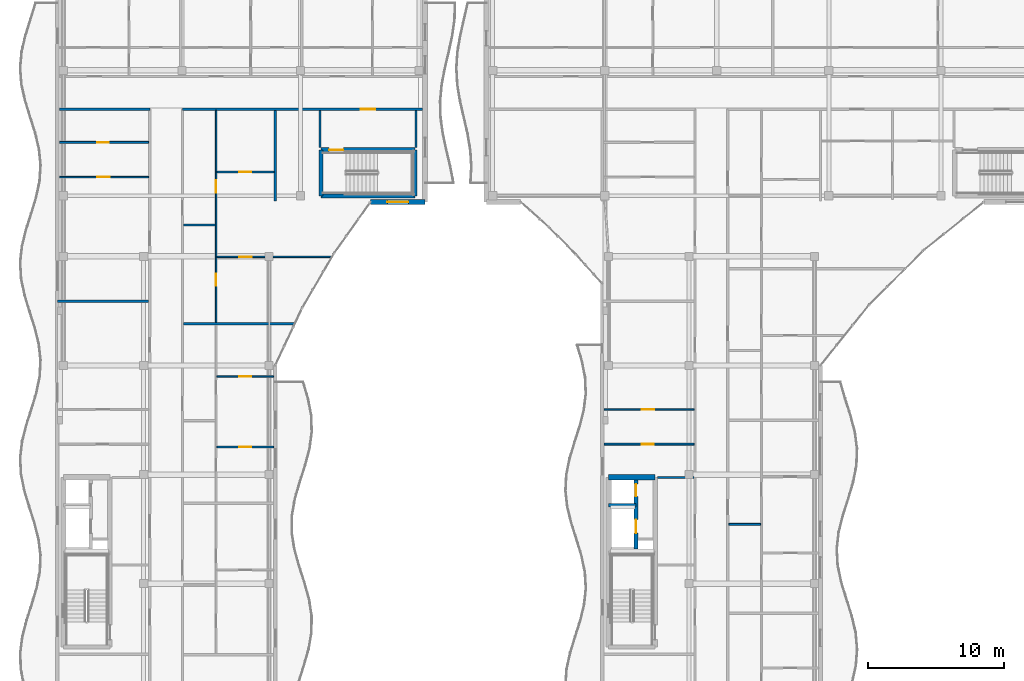
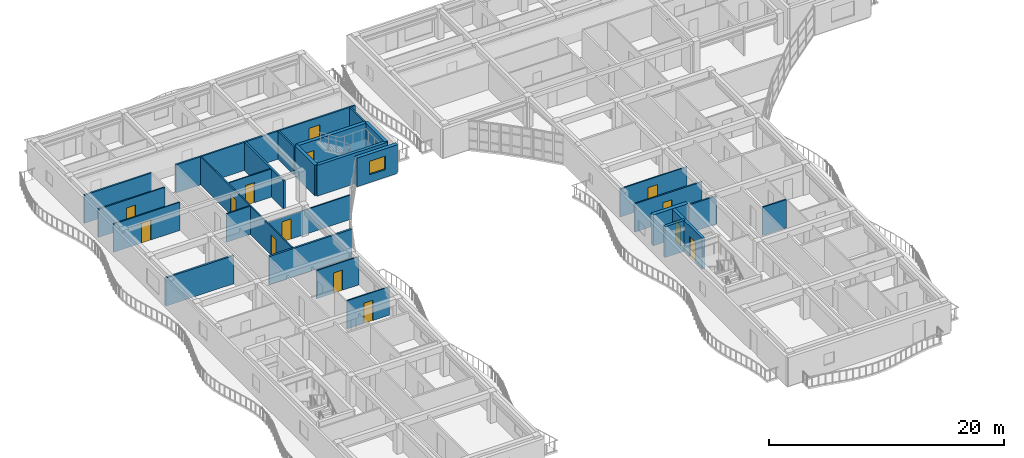
# One storey, part 41 of 79: 27 walls, 14 doors, 1 window, 15 openings.
"""IFC4 building model written with IfcOpenShell, lengths in metres."""

from ifc_helpers import new_model, si_unit, direction, frame, frame_2d, origin, place, context, subcontext, project, spatial, rectangle, extrude, material, layer, layer_set, type_object, element, fill, save


model = new_model("IFC4")

# Units and contexts
model_context = context("Model", 3, precision=1e-05, world=origin(), true_north=direction((0.0, 1.0)))
body_context = subcontext(model_context, "Body", "Model", "MODEL_VIEW")
ifc_project = project(units=[si_unit("LENGTHUNIT", "METRE"), si_unit("AREAUNIT", "SQUARE_METRE"), si_unit("VOLUMEUNIT", "CUBIC_METRE"), si_unit("PLANEANGLEUNIT", "RADIAN"), si_unit("MASSUNIT", "GRAM", prefix="KILO")], contexts=[model_context])

# Site, building, storey
site_placement = place(None, origin())
site = spatial("IfcSite", under=ifc_project, at=site_placement, CompositionType="ELEMENT")
building_placement = place(site_placement, origin())
building = spatial("IfcBuilding", under=site, at=building_placement, Name="Keldmere Railside Commons", CompositionType="ELEMENT")
storey_placement = place(building_placement, frame((0.0, 0.0, 10.56005859375)))
storey = spatial("IfcBuildingStorey", under=building, at=storey_placement, Name="L03", CompositionType="ELEMENT", Elevation=10.56005859375)

# Walls
ifc_material_1 = material(Name="Acoustic Gypsum Board Partition", Category="gypsum")
ifc_layer_1 = layer(ifc_material_1, 0.179931640625, Name="Acoustic Demising Partition 180")
ifc_layer_set_1 = layer_set([ifc_layer_1], Name="Acoustic Gypsum Board Partition")
wall_type_1 = type_object("IfcWallType", Name="Acoustic Demising Partition 180", PredefinedType="PARTITIONING", material=ifc_layer_set_1)
wall_1_placement = place(storey_placement, frame((24.0, 100.050048828125, 0.0), z_axis=(0.0, 0.0, 1.0), x_axis=(0.0, 1.0, 0.0)))
element("IfcWall", 1, at=wall_1_placement, inside=storey, type_object=wall_type_1, Name="IW-1 IW-L03-0291", PredefinedType="PARTITIONING", context=body_context, shape_type="SweptSolid", body=[
    extrude(rectangle(XDim=6.669921875, YDim=0.179931640625, at=frame_2d((3.3349609375, 0.0))), origin(), (0.0, 0.0, 1.0), 2.93505859375),
])
wall_2_placement = place(storey_placement, frame((17.280029296875, 91.050048828125, 0.0), z_axis=(0.0, 0.0, 1.0), x_axis=(1.0, 0.0, 0.0)))
element("IfcWall", 2, at=wall_2_placement, inside=storey, type_object=wall_type_1, Name="IW-1 IW-L03-0296", PredefinedType="PARTITIONING", context=body_context, shape_type="SweptSolid", body=[
    extrude(rectangle(XDim=8.106689453125, YDim=0.179931640625, at=frame_2d((4.05322265625, 0.0))), origin(), (0.0, 0.0, 1.0), 2.93505859375),
])
wall_3_placement = place(storey_placement, frame((8.0400390625, 92.699951171875, 0.0), z_axis=(0.0, 0.0, 1.0), x_axis=(1.0, 0.0, 0.0)))
element("IfcWall", 3, at=wall_3_placement, inside=storey, type_object=wall_type_1, Name="IW-1 IW-L03-0319", PredefinedType="PARTITIONING", context=body_context, shape_type="SweptSolid", body=[
    extrude(rectangle(XDim=6.679931640625, YDim=0.179931640625, at=frame_2d((3.33984375, 0.0))), origin(), (0.0, 0.0, 1.0), 2.93505859375),
])

# Wall, opening, door
ifc_layer_2 = layer(ifc_material_1, 0.1201171875, Name="Apartment Interior Partition 120")
ifc_layer_set_2 = layer_set([ifc_layer_2], Name="Acoustic Gypsum Board Partition")
wall_type_2 = type_object("IfcWallType", Name="Apartment Interior Partition 120", PredefinedType="PARTITIONING", material=ifc_layer_set_2)
wall_4_placement = place(storey_placement, frame((19.719970703125, 82.02001953125, 0.0), z_axis=(0.0, 0.0, 1.0), x_axis=(1.0, 0.0, 0.0)))
wall_4 = element("IfcWall", 4, at=wall_4_placement, inside=storey, type_object=wall_type_2, Name="IW-4 IW-L03-0302", PredefinedType="PARTITIONING", context=body_context, shape_type="SweptSolid", body=[
    extrude(rectangle(XDim=4.159912109375, YDim=0.1201171875, at=frame_2d((2.080078125, 0.0))), origin(), (0.0, 0.0, 1.0), 2.93505859375),
])
opening_1_placement = place(wall_4_placement, frame((1.6298828125, 0.0, 0.0)))
opening_1 = element("IfcOpeningElement", 5, at=opening_1_placement, cuts=wall_4, Name="Opening ID-01", PredefinedType="OPENING", context=body_context, shape_type="SweptSolid", body=[
    extrude(rectangle(XDim=0.89990234375, YDim=2.10009765625, at=frame_2d((0.449951171875, 1.050048828125))), frame((0.0, 0.070068359375, 0.0), z_axis=(0.0, -1.0, 0.0), x_axis=(1.0, 0.0, 0.0)), (0.0, 0.0, 1.0), 0.14013671875),
])
ifc_material_2 = material(Name="Engineered Oak Timber", Category="wood")
door_type_1 = type_object("IfcDoorType", Name="Primary Bedroom Door 900x2100", OperationType="NOTDEFINED", PredefinedType="DOOR", material=ifc_material_2)
door_1_placement = place(opening_1_placement, origin())
door_1 = element("IfcDoor", 6, at=door_1_placement, inside=storey, type_object=door_type_1, Name="ID-01 IDR-L03-0206", OperationType="SINGLE_SWING_RIGHT", OverallHeight=2.10009765625, OverallWidth=0.89990234375, PredefinedType="DOOR", context=body_context, shape_type="SweptSolid", body=[
    extrude(rectangle(XDim=0.89990234375, YDim=2.10009765625, at=frame_2d((0.449951171875, 1.050048828125))), frame((0.0, 0.02490234375, 0.0), z_axis=(0.0, -1.0, 0.0), x_axis=(1.0, 0.0, 0.0)), (0.0, 0.0, 1.0), 0.050048828125),
])
fill(opening_1, door_1)

wall_5_placement = place(storey_placement, frame((19.719970703125, 87.199951171875, 0.0), z_axis=(0.0, 0.0, 1.0), x_axis=(1.0, 0.0, 0.0)))
wall_5 = element("IfcWall", 7, at=wall_5_placement, inside=storey, type_object=wall_type_2, Name="IW-4 IW-L03-0303", PredefinedType="PARTITIONING", context=body_context, shape_type="SweptSolid", body=[
    extrude(rectangle(XDim=4.159912109375, YDim=0.1201171875, at=frame_2d((2.080078125, 0.0))), origin(), (0.0, 0.0, 1.0), 2.93505859375),
])
opening_2_placement = place(wall_5_placement, frame((1.639892578125, 0.0, 0.0)))
opening_2 = element("IfcOpeningElement", 8, at=opening_2_placement, cuts=wall_5, Name="Opening ID-02", PredefinedType="OPENING", context=body_context, shape_type="SweptSolid", body=[
    extrude(rectangle(XDim=0.8798828125, YDim=2.10009765625, at=frame_2d((0.43994140625, 1.050048828125))), frame((0.0, 0.070068359375, 0.0), z_axis=(0.0, -1.0, 0.0), x_axis=(1.0, 0.0, 0.0)), (0.0, 0.0, 1.0), 0.14013671875),
])
door_type_2 = type_object("IfcDoorType", Name="Secondary Bedroom Door 880x2100", OperationType="NOTDEFINED", PredefinedType="DOOR", material=ifc_material_2)
door_2_placement = place(opening_2_placement, origin())
door_2 = element("IfcDoor", 9, at=door_2_placement, inside=storey, type_object=door_type_2, Name="ID-02 IDR-L03-0207", OperationType="SINGLE_SWING_LEFT", OverallHeight=2.10009765625, OverallWidth=0.8798828125, PredefinedType="DOOR", context=body_context, shape_type="SweptSolid", body=[
    extrude(rectangle(XDim=0.8798828125, YDim=2.10009765625, at=frame_2d((0.43994140625, 1.050048828125))), frame((0.0, 0.02490234375, 0.0), z_axis=(0.0, -1.0, 0.0), x_axis=(1.0, 0.0, 0.0)), (0.0, 0.0, 1.0), 0.050048828125),
])
fill(opening_2, door_2)

# Wall, openings, doors
wall_6_placement = place(storey_placement, frame((19.659912109375, 91.139892578125, 0.0), z_axis=(0.0, 0.0, 1.0), x_axis=(0.0, 1.0, 0.0)))
wall_6 = element("IfcWall", 10, at=wall_6_placement, inside=storey, type_object=wall_type_2, Name="IW-4 IW-L03-0304", PredefinedType="PARTITIONING", context=body_context, shape_type="SweptSolid", body=[
    extrude(rectangle(XDim=15.580078125, YDim=0.1201171875, at=frame_2d((7.7900390625, 0.0))), origin(), (0.0, 0.0, 1.0), 2.93505859375),
])
opening_3_placement = place(wall_6_placement, frame((2.724609375, 0.0, 0.0)))
opening_3 = element("IfcOpeningElement", 11, at=opening_3_placement, cuts=wall_6, Name="Opening ID-04", PredefinedType="OPENING", context=body_context, shape_type="SweptSolid", body=[
    extrude(rectangle(XDim=0.860107421875, YDim=2.10009765625, at=frame_2d((0.43017578125, 1.050048828125))), frame((0.0, 0.070068359375, 0.0), z_axis=(0.0, -1.0, 0.0), x_axis=(1.0, 0.0, 0.0)), (0.0, 0.0, 1.0), 0.14013671875),
])
opening_4_placement = place(wall_6_placement, frame((9.52490234375, 0.0, 0.0)))
opening_4 = element("IfcOpeningElement", 12, at=opening_4_placement, cuts=wall_6, Name="Opening ID-03", PredefinedType="OPENING", context=body_context, shape_type="SweptSolid", body=[
    extrude(rectangle(XDim=0.919921875, YDim=2.10009765625, at=frame_2d((0.4599609375, 1.050048828125))), frame((0.0, 0.070068359375, 0.0), z_axis=(0.0, -1.0, 0.0), x_axis=(1.0, 0.0, 0.0)), (0.0, 0.0, 1.0), 0.14013671875),
])
door_type_3 = type_object("IfcDoorType", Name="Apartment Bathroom Door 860x2100", OperationType="NOTDEFINED", PredefinedType="DOOR", material=ifc_material_2)
door_3_placement = place(opening_3_placement, origin())
door_3 = element("IfcDoor", 13, at=door_3_placement, inside=storey, type_object=door_type_3, Name="ID-04 IDR-L03-0208", OperationType="SINGLE_SWING_RIGHT", OverallHeight=2.10009765625, OverallWidth=0.860107421875, PredefinedType="DOOR", context=body_context, shape_type="SweptSolid", body=[
    extrude(rectangle(XDim=0.860107421875, YDim=2.10009765625, at=frame_2d((0.43017578125, 1.050048828125))), frame((0.0, 0.02490234375, 0.0), z_axis=(0.0, -1.0, 0.0), x_axis=(1.0, 0.0, 0.0)), (0.0, 0.0, 1.0), 0.050048828125),
])
fill(opening_3, door_3)
door_type_4 = type_object("IfcDoorType", Name="Kitchen Pocket-Frame Swing Door 920x2100", OperationType="NOTDEFINED", PredefinedType="DOOR", material=ifc_material_2)
door_4_placement = place(opening_4_placement, origin())
door_4 = element("IfcDoor", 14, at=door_4_placement, inside=storey, type_object=door_type_4, Name="ID-03 IDR-L03-0209", OperationType="SINGLE_SWING_LEFT", OverallHeight=2.10009765625, OverallWidth=0.919921875, PredefinedType="DOOR", context=body_context, shape_type="SweptSolid", body=[
    extrude(rectangle(XDim=0.919921875, YDim=2.10009765625, at=frame_2d((0.4599609375, 1.050048828125))), frame((0.0, 0.02490234375, 0.0), z_axis=(0.0, -1.0, 0.0), x_axis=(1.0, 0.0, 0.0)), (0.0, 0.0, 1.0), 0.050048828125),
])
fill(opening_4, door_4)

# Wall, opening, door
wall_7_placement = place(storey_placement, frame((19.719970703125, 95.969970703125, 0.0), z_axis=(0.0, 0.0, 1.0), x_axis=(1.0, 0.0, 0.0)))
wall_7 = element("IfcWall", 15, at=wall_7_placement, inside=storey, type_object=wall_type_2, Name="IW-4 IW-L03-0306", PredefinedType="PARTITIONING", context=body_context, shape_type="SweptSolid", body=[
    extrude(rectangle(XDim=8.4033203125, YDim=0.1201171875, at=frame_2d((4.20166015625, 0.0))), origin(), (0.0, 0.0, 1.0), 2.530029296875),
])
opening_5_placement = place(wall_7_placement, frame((1.64501953125, 0.0, 0.0)))
opening_5 = element("IfcOpeningElement", 16, at=opening_5_placement, cuts=wall_7, Name="Opening ID-01", PredefinedType="OPENING", context=body_context, shape_type="SweptSolid", body=[
    extrude(rectangle(XDim=0.89990234375, YDim=2.10009765625, at=frame_2d((0.449951171875, 1.050048828125))), frame((0.0, 0.070068359375, 0.0), z_axis=(0.0, -1.0, 0.0), x_axis=(1.0, 0.0, 0.0)), (0.0, 0.0, 1.0), 0.14013671875),
])
door_5_placement = place(opening_5_placement, origin())
door_5 = element("IfcDoor", 17, at=door_5_placement, inside=storey, type_object=door_type_1, Name="ID-01 IDR-L03-0211", OperationType="SINGLE_SWING_LEFT", OverallHeight=2.10009765625, OverallWidth=0.89990234375, PredefinedType="DOOR", context=body_context, shape_type="SweptSolid", body=[
    extrude(rectangle(XDim=0.89990234375, YDim=2.10009765625, at=frame_2d((0.449951171875, 1.050048828125))), frame((0.0, 0.02490234375, 0.0), z_axis=(0.0, -1.0, 0.0), x_axis=(1.0, 0.0, 0.0)), (0.0, 0.0, 1.0), 0.050048828125),
])
fill(opening_5, door_5)

wall_8_placement = place(storey_placement, frame((19.719970703125, 102.199951171875, 0.0), z_axis=(0.0, 0.0, 1.0), x_axis=(1.0, 0.0, 0.0)))
wall_8 = element("IfcWall", 18, at=wall_8_placement, inside=storey, type_object=wall_type_2, Name="IW-4 IW-L03-0307", PredefinedType="PARTITIONING", context=body_context, shape_type="SweptSolid", body=[
    extrude(rectangle(XDim=4.18994140625, YDim=0.1201171875, at=frame_2d((2.094970703125, 0.0))), origin(), (0.0, 0.0, 1.0), 2.93505859375),
])
opening_6_placement = place(wall_8_placement, frame((1.655029296875, 0.0, 0.0)))
opening_6 = element("IfcOpeningElement", 19, at=opening_6_placement, cuts=wall_8, Name="Opening ID-02", PredefinedType="OPENING", context=body_context, shape_type="SweptSolid", body=[
    extrude(rectangle(XDim=0.8798828125, YDim=2.10009765625, at=frame_2d((0.43994140625, 1.050048828125))), frame((0.0, 0.070068359375, 0.0), z_axis=(0.0, -1.0, 0.0), x_axis=(1.0, 0.0, 0.0)), (0.0, 0.0, 1.0), 0.14013671875),
])
door_6_placement = place(opening_6_placement, origin())
door_6 = element("IfcDoor", 20, at=door_6_placement, inside=storey, type_object=door_type_2, Name="ID-02 IDR-L03-0212", OperationType="SINGLE_SWING_RIGHT", OverallHeight=2.10009765625, OverallWidth=0.8798828125, PredefinedType="DOOR", context=body_context, shape_type="SweptSolid", body=[
    extrude(rectangle(XDim=0.8798828125, YDim=2.10009765625, at=frame_2d((0.43994140625, 1.050048828125))), frame((0.0, 0.02490234375, 0.0), z_axis=(0.0, -1.0, 0.0), x_axis=(1.0, 0.0, 0.0)), (0.0, 0.0, 1.0), 0.050048828125),
])
fill(opening_6, door_6)

wall_9_placement = place(storey_placement, frame((8.179931640625, 101.820068359375, 0.0), z_axis=(0.0, 0.0, 1.0), x_axis=(1.0, 0.0, 0.0)))
wall_9 = element("IfcWall", 21, at=wall_9_placement, inside=storey, type_object=wall_type_2, Name="IW-4 IW-L03-0322", PredefinedType="PARTITIONING", context=body_context, shape_type="SweptSolid", body=[
    extrude(rectangle(XDim=6.5400390625, YDim=0.1201171875, at=frame_2d((3.27001953125, 0.0))), origin(), (0.0, 0.0, 1.0), 2.93505859375),
])
opening_7_placement = place(wall_9_placement, frame((2.746826171875, 0.0, 0.0)))
opening_7 = element("IfcOpeningElement", 22, at=opening_7_placement, cuts=wall_9, Name="Opening ID-03", PredefinedType="OPENING", context=body_context, shape_type="SweptSolid", body=[
    extrude(rectangle(XDim=0.919921875, YDim=2.10009765625, at=frame_2d((0.4599609375, 1.050048828125))), frame((0.0, 0.070068359375, 0.0), z_axis=(0.0, -1.0, 0.0), x_axis=(1.0, 0.0, 0.0)), (0.0, 0.0, 1.0), 0.14013671875),
])
door_7_placement = place(opening_7_placement, origin())
door_7 = element("IfcDoor", 23, at=door_7_placement, inside=storey, type_object=door_type_4, Name="ID-03 IDR-L03-0233", OperationType="SINGLE_SWING_LEFT", OverallHeight=2.10009765625, OverallWidth=0.919921875, PredefinedType="DOOR", context=body_context, shape_type="SweptSolid", body=[
    extrude(rectangle(XDim=0.919921875, YDim=2.10009765625, at=frame_2d((0.4599609375, 1.050048828125))), frame((0.0, 0.02490234375, 0.0), z_axis=(0.0, -1.0, 0.0), x_axis=(1.0, 0.0, 0.0)), (0.0, 0.0, 1.0), 0.050048828125),
])
fill(opening_7, door_7)

wall_10_placement = place(storey_placement, frame((48.1298828125, 84.780029296875, 0.0), z_axis=(0.0, 0.0, 1.0), x_axis=(1.0, 0.0, 0.0)))
wall_10 = element("IfcWall", 24, at=wall_10_placement, inside=storey, type_object=wall_type_2, Name="IW-4 IW-L03-0633", PredefinedType="PARTITIONING", context=body_context, shape_type="SweptSolid", body=[
    extrude(rectangle(XDim=6.590087890625, YDim=0.1201171875, at=frame_2d((3.294921875, 0.0))), origin(), (0.0, 0.0, 1.0), 2.93505859375),
])
opening_8_placement = place(wall_10_placement, frame((2.767822265625, 0.0, 0.0)))
opening_8 = element("IfcOpeningElement", 25, at=opening_8_placement, cuts=wall_10, Name="Opening ID-03", PredefinedType="OPENING", context=body_context, shape_type="SweptSolid", body=[
    extrude(rectangle(XDim=0.919921875, YDim=2.10009765625, at=frame_2d((0.4599609375, 1.050048828125))), frame((0.0, 0.070068359375, 0.0), z_axis=(0.0, -1.0, 0.0), x_axis=(1.0, 0.0, 0.0)), (0.0, 0.0, 1.0), 0.14013671875),
])
door_8_placement = place(opening_8_placement, origin())
door_8 = element("IfcDoor", 26, at=door_8_placement, inside=storey, type_object=door_type_4, Name="ID-03 IDR-L03-0526", OperationType="SINGLE_SWING_RIGHT", OverallHeight=2.10009765625, OverallWidth=0.919921875, PredefinedType="DOOR", context=body_context, shape_type="SweptSolid", body=[
    extrude(rectangle(XDim=0.919921875, YDim=2.10009765625, at=frame_2d((0.4599609375, 1.050048828125))), frame((0.0, 0.02490234375, 0.0), z_axis=(0.0, -1.0, 0.0), x_axis=(1.0, 0.0, 0.0)), (0.0, 0.0, 1.0), 0.050048828125),
])
fill(opening_8, door_8)

# Wall
ifc_material_3 = material(Name="Concrete H-35 (C35/45)", Category="concrete")
ifc_layer_3 = layer(ifc_material_3, 0.280029296875, Name="Core Shear Wall 280")
ifc_layer_set_3 = layer_set([ifc_layer_3], Name="Concrete H-35 (C35/45)")
wall_type_3 = type_object("IfcWallType", Name="Core Shear Wall 280", PredefinedType="SHEAR", material=ifc_layer_set_3)
wall_11_placement = place(storey_placement, frame((48.4599609375, 77.75, 0.0), z_axis=(0.0, 0.0, 1.0), x_axis=(1.0, 0.0, 0.0)))
element("IfcWall", 27, at=wall_11_placement, inside=storey, type_object=wall_type_3, Name="CSW-2 CORECL-L03-0239", PredefinedType="SHEAR", context=body_context, shape_type="SweptSolid", body=[
    extrude(rectangle(XDim=2.0, YDim=0.280029296875, at=frame_2d((1.0, 0.0))), origin(), (0.0, 0.0, 1.0), 3.199951171875),
])

# Wall, openings, doors
wall_12_placement = place(storey_placement, frame((50.4599609375, 74.550048828125, 0.0), z_axis=(0.0, 0.0, 1.0), x_axis=(0.0, 1.0, 0.0)))
wall_12 = element("IfcWall", 28, at=wall_12_placement, inside=storey, type_object=wall_type_3, Name="CSW-2 LSHC-L03-0240", PredefinedType="SHEAR", context=body_context, shape_type="SweptSolid", body=[
    extrude(rectangle(XDim=5.25, YDim=0.280029296875, at=frame_2d((2.625, 0.0))), origin(), (0.0, 0.0, 1.0), 3.199951171875),
])
opening_9_placement = place(wall_12_placement, frame((1.14990234375, 0.0, 0.0)))
opening_9 = element("IfcOpeningElement", 29, at=opening_9_placement, cuts=wall_12, Name="Opening LD-1", PredefinedType="OPENING", context=body_context, shape_type="SweptSolid", body=[
    extrude(rectangle(XDim=1.0, YDim=2.14990234375, at=frame_2d((0.5, 1.074951171875))), frame((0.0, 0.14990234375, 0.0), z_axis=(0.0, -1.0, 0.0), x_axis=(1.0, 0.0, 0.0)), (0.0, 0.0, 1.0), 0.300048828125),
])
opening_10_placement = place(wall_12_placement, frame((3.85009765625, 0.0, 0.0)))
opening_10 = element("IfcOpeningElement", 30, at=opening_10_placement, cuts=wall_12, Name="Opening LD-2", PredefinedType="OPENING", context=body_context, shape_type="SweptSolid", body=[
    extrude(rectangle(XDim=0.89990234375, YDim=2.14990234375, at=frame_2d((0.449951171875, 1.074951171875))), frame((0.0, 0.14990234375, 0.0), z_axis=(0.0, -1.0, 0.0), x_axis=(1.0, 0.0, 0.0)), (0.0, 0.0, 1.0), 0.300048828125),
])
ifc_material_4 = material(Name="Steel F-24 (S235)", Category="steel")
door_type_5 = type_object("IfcDoorType", Name="Firefighting Stretcher Lift Landing Door 1000x2150", OperationType="SLIDING_TO_LEFT", PredefinedType="DOOR", material=ifc_material_4)
door_9_placement = place(opening_9_placement, origin())
door_9 = element("IfcDoor", 31, at=door_9_placement, inside=storey, type_object=door_type_5, Name="LD-1 C L03", OperationType="SLIDING_TO_LEFT", OverallHeight=2.14990234375, OverallWidth=1.0, PredefinedType="DOOR", context=body_context, shape_type="SweptSolid", body=[
    extrude(rectangle(XDim=1.0, YDim=2.14990234375, at=frame_2d((0.5, 1.074951171875))), frame((0.0, 0.02490234375, 0.0), z_axis=(0.0, -1.0, 0.0), x_axis=(1.0, 0.0, 0.0)), (0.0, 0.0, 1.0), 0.050048828125),
])
fill(opening_9, door_9)
door_type_6 = type_object("IfcDoorType", Name="Passenger Lift Sliding Landing Door 900x2150", OperationType="SLIDING_TO_RIGHT", PredefinedType="DOOR", material=ifc_material_4)
door_10_placement = place(opening_10_placement, origin())
door_10 = element("IfcDoor", 32, at=door_10_placement, inside=storey, type_object=door_type_6, Name="LD-2 C L03", OperationType="SLIDING_TO_RIGHT", OverallHeight=2.14990234375, OverallWidth=0.89990234375, PredefinedType="DOOR", context=body_context, shape_type="SweptSolid", body=[
    extrude(rectangle(XDim=0.89990234375, YDim=2.14990234375, at=frame_2d((0.449951171875, 1.074951171875))), frame((0.0, 0.02490234375, 0.0), z_axis=(0.0, -1.0, 0.0), x_axis=(1.0, 0.0, 0.0)), (0.0, 0.0, 1.0), 0.050048828125),
])
fill(opening_10, door_10)

# Walls
ifc_material_5 = material(Name="Concrete H-40 (C40/50)", Category="concrete")
ifc_layer_4 = layer(ifc_material_5, 0.3798828125, Name="Core Shear Wall 380")
ifc_layer_set_4 = layer_set([ifc_layer_4], Name="Concrete H-40 (C40/50)")
wall_type_4 = type_object("IfcWallType", Name="Core Shear Wall 380", PredefinedType="SHEAR", material=ifc_layer_set_4)
wall_13_placement = place(storey_placement, frame((48.4599609375, 79.800048828125, 0.0), z_axis=(0.0, 0.0, 1.0), x_axis=(1.0, 0.0, 0.0)))
element("IfcWall", 33, at=wall_13_placement, inside=storey, type_object=wall_type_4, Name="CW-CORE CORECN-L03-0235", PredefinedType="SHEAR", context=body_context, shape_type="SweptSolid", body=[
    extrude(rectangle(XDim=3.41015625, YDim=0.3798828125, at=frame_2d((1.705078125, 0.0))), origin(), (0.0, 0.0, 1.0), 3.199951171875),
])
ifc_layer_5 = layer(ifc_material_1, 0.159912109375, Name="Corridor Fire Partition 160")
ifc_layer_set_5 = layer_set([ifc_layer_5], Name="Acoustic Gypsum Board Partition")
wall_type_5 = type_object("IfcWallType", Name="Corridor Fire Partition 160", PredefinedType="PARTITIONING", material=ifc_layer_set_5)
wall_14_placement = place(storey_placement, frame((8.179931640625, 106.800048828125, 0.0), z_axis=(0.0, 0.0, 1.0), x_axis=(1.0, 0.0, 0.0)))
element("IfcWall", 34, at=wall_14_placement, inside=storey, type_object=wall_type_5, Name="IW-2 IW-L03-0288", PredefinedType="PARTITIONING", context=body_context, shape_type="SweptSolid", body=[
    extrude(rectangle(XDim=6.6201171875, YDim=0.159912109375, at=frame_2d((3.31005859375, 0.0))), origin(), (0.0, 0.0, 1.0), 2.93505859375),
])

# Wall, opening, door
wall_15_placement = place(storey_placement, frame((17.199951171875, 106.800048828125, 0.0), z_axis=(0.0, 0.0, 1.0), x_axis=(1.0, 0.0, 0.0)))
wall_15 = element("IfcWall", 35, at=wall_15_placement, inside=storey, type_object=wall_type_5, Name="IW-2 IW-L03-0289", PredefinedType="PARTITIONING", context=body_context, shape_type="SweptSolid", body=[
    extrude(rectangle(XDim=17.6201171875, YDim=0.159912109375, at=frame_2d((8.81005859375, 0.0))), origin(), (0.0, 0.0, 1.0), 2.93505859375),
])
opening_11_placement = place(wall_15_placement, frame((13.074951171875, 0.0, 0.0)))
opening_11 = element("IfcOpeningElement", 36, at=opening_11_placement, cuts=wall_15, Name="Opening FD-1", PredefinedType="OPENING", context=body_context, shape_type="SweptSolid", body=[
    extrude(rectangle(XDim=1.050048828125, YDim=2.14990234375, at=frame_2d((0.52490234375, 1.074951171875))), frame((0.0, 0.08984375, 0.0), z_axis=(0.0, -1.0, 0.0), x_axis=(1.0, 0.0, 0.0)), (0.0, 0.0, 1.0), 0.179931640625),
])
door_type_7 = type_object("IfcDoorType", Name="Stair Core Fire Door 1050x2150", OperationType="NOTDEFINED", PredefinedType="DOOR", material=ifc_material_4)
door_11_placement = place(opening_11_placement, origin())
door_11 = element("IfcDoor", 37, at=door_11_placement, inside=storey, type_object=door_type_7, Name="FD-1 IDR-L03-0195", OperationType="SINGLE_SWING_LEFT", OverallHeight=2.14990234375, OverallWidth=1.050048828125, PredefinedType="DOOR", context=body_context, shape_type="SweptSolid", body=[
    extrude(rectangle(XDim=1.050048828125, YDim=2.14990234375, at=frame_2d((0.52490234375, 1.074951171875))), frame((0.0, 0.02490234375, 0.0), z_axis=(0.0, -1.0, 0.0), x_axis=(1.0, 0.0, 0.0)), (0.0, 0.0, 1.0), 0.050048828125),
])
fill(opening_11, door_11)

# Wall, opening, window
ifc_layer_6 = layer(ifc_material_3, 0.360107421875, Name="Exterior Shear Wall 360")
ifc_layer_set_6 = layer_set([ifc_layer_6], Name="Concrete H-35 (C35/45)")
wall_type_6 = type_object("IfcWallType", Name="Exterior Shear Wall 360", PredefinedType="SHEAR", material=ifc_layer_set_6)
wall_16_placement = place(storey_placement, frame((35.0, 100.0, 0.0), z_axis=(0.0, 0.0, 1.0), x_axis=(-1.0, 0.0, 0.0)))
wall_16 = element("IfcWall", 38, at=wall_16_placement, inside=storey, type_object=wall_type_6, Name="ESW-1 EXTD-L03-0145", PredefinedType="SHEAR", context=body_context, shape_type="SweptSolid", body=[
    extrude(rectangle(XDim=4.0, YDim=0.360107421875, at=frame_2d((2.0, 0.0))), origin(), (0.0, 0.0, 1.0), 2.97998046875),
])
opening_12_placement = place(wall_16_placement, frame((1.22509765625, 0.0, 0.820068359375)))
opening_12 = element("IfcOpeningElement", 39, at=opening_12_placement, cuts=wall_16, Name="Opening WN-07", PredefinedType="OPENING", context=body_context, shape_type="SweptSolid", body=[
    extrude(rectangle(XDim=1.550048828125, YDim=1.39990234375, at=frame_2d((0.77490234375, 0.699951171875))), frame((0.0, 0.18994140625, 0.0), z_axis=(0.0, -1.0, 0.0), x_axis=(1.0, 0.0, 0.0)), (0.0, 0.0, 1.0), 0.380126953125),
])
ifc_material_6 = material(Name="Low-E Insulated Double Glazing", Category="glass")
window_type = type_object("IfcWindowType", Name="Primary Bedroom South Window 1550x1400", PartitioningType="SINGLE_PANEL", PredefinedType="WINDOW", material=ifc_material_6)
window_placement = place(opening_12_placement, origin())
window = element("IfcWindow", 40, at=window_placement, inside=storey, type_object=window_type, Name="WN-07 WIN-L03-0070", OverallHeight=1.39990234375, OverallWidth=1.550048828125, PartitioningType="SINGLE_PANEL", PredefinedType="WINDOW", context=body_context, shape_type="SweptSolid", body=[
    extrude(rectangle(XDim=1.550048828125, YDim=1.39990234375, at=frame_2d((0.77490234375, 0.699951171875))), frame((0.0, 0.030029296875, 0.0), z_axis=(0.0, -1.0, 0.0), x_axis=(1.0, 0.0, 0.0)), (0.0, 0.0, 1.0), 0.06005859375),
])
fill(opening_12, window)

# Walls
ifc_layer_7 = layer(ifc_material_3, 0.300048828125, Name="Interior Shear Wall 300")
ifc_layer_set_7 = layer_set([ifc_layer_7], Name="Concrete H-35 (C35/45)")
wall_type_7 = type_object("IfcWallType", Name="Interior Shear Wall 300", PredefinedType="SHEAR", material=ifc_layer_set_7)
wall_17_placement = place(storey_placement, frame((27.35009765625, 100.449951171875, 0.0), z_axis=(0.0, 0.0, 1.0), x_axis=(1.0, 0.0, 0.0)))
element("IfcWall", 41, at=wall_17_placement, inside=storey, type_object=wall_type_7, Name="ISW-2 CORED2S-L03-0071", PredefinedType="SHEAR", context=body_context, shape_type="SweptSolid", body=[
    extrude(rectangle(XDim=6.89990234375, YDim=0.300048828125, at=frame_2d((3.449951171875, 0.0))), origin(), (0.0, 0.0, 1.0), 3.199951171875),
])
for number, where, z_axis, x_axis, name in (
    (42, (27.35009765625, 103.820068359375, 0.0), (0.0, 0.0, 1.0), (0.0, -1.0, 0.0), "ISW-2 CORED2W-L03-0073"),
    (43, (34.25, 100.449951171875, 0.0), (0.0, 0.0, 1.0), (0.0, 1.0, 0.0), "ISW-2 CORED2E-L03-0074"),
):
    element("IfcWall", number, at=place(storey_placement, frame(where, z_axis=z_axis, x_axis=x_axis)), inside=storey, type_object=wall_type_7, Name=name, PredefinedType="SHEAR", context=body_context, shape_type="SweptSolid", body=[
        extrude(rectangle(XDim=3.3701171875, YDim=0.300048828125, at=frame_2d((1.68505859375, 0.0))), origin(), (0.0, 0.0, 1.0), 3.199951171875),
    ])

# Wall, opening, door
ifc_layer_8 = layer(ifc_material_3, 0.340087890625, Name="Interior Shear Wall 340")
ifc_layer_set_8 = layer_set([ifc_layer_8], Name="Concrete H-35 (C35/45)")
wall_type_8 = type_object("IfcWallType", Name="Interior Shear Wall 340", PredefinedType="SHEAR", material=ifc_layer_set_8)
wall_18_placement = place(storey_placement, frame((34.25, 103.820068359375, 0.0), z_axis=(0.0, 0.0, 1.0), x_axis=(-1.0, 0.0, 0.0)))
wall_18 = element("IfcWall", 44, at=wall_18_placement, inside=storey, type_object=wall_type_8, Name="ISW-1 CORED2N-L03-0072", PredefinedType="SHEAR", context=body_context, shape_type="SweptSolid", body=[
    extrude(rectangle(XDim=6.89990234375, YDim=0.340087890625, at=frame_2d((3.449951171875, 0.0))), origin(), (0.0, 0.0, 1.0), 3.199951171875),
])
opening_13_placement = place(wall_18_placement, frame((5.25, 0.0, 0.0)))
opening_13 = element("IfcOpeningElement", 45, at=opening_13_placement, cuts=wall_18, Name="Opening FD-1", PredefinedType="OPENING", context=body_context, shape_type="SweptSolid", body=[
    extrude(rectangle(XDim=1.050048828125, YDim=2.14990234375, at=frame_2d((0.52490234375, 1.074951171875))), frame((0.0, 0.179931640625, 0.0), z_axis=(0.0, -1.0, 0.0), x_axis=(1.0, 0.0, 0.0)), (0.0, 0.0, 1.0), 0.360107421875),
])
door_12_placement = place(opening_13_placement, origin())
door_12 = element("IfcDoor", 46, at=door_12_placement, inside=storey, type_object=door_type_7, Name="FD-1 D2 L03", OperationType="SINGLE_SWING_RIGHT", OverallHeight=2.14990234375, OverallWidth=1.050048828125, PredefinedType="DOOR", context=body_context, shape_type="SweptSolid", body=[
    extrude(rectangle(XDim=1.050048828125, YDim=2.14990234375, at=frame_2d((0.52490234375, 1.074951171875))), frame((0.0, 0.02490234375, 0.0), z_axis=(0.0, -1.0, 0.0), x_axis=(1.0, 0.0, 0.0)), (0.0, 0.0, 1.0), 0.050048828125),
])
fill(opening_13, door_12)

# Walls
ifc_layer_9 = layer(ifc_material_1, 0.14990234375, Name="Lobby Rated Partition 150")
ifc_layer_set_9 = layer_set([ifc_layer_9], Name="Acoustic Gypsum Board Partition")
wall_type_9 = type_object("IfcWallType", Name="Lobby Rated Partition 150", PredefinedType="PARTITIONING", material=ifc_layer_set_9)
for number, where, z_axis, x_axis, name in (
    (47, (27.280029296875, 103.989990234375, 0.0), (0.0, 0.0, 1.0), (0.0, 1.0, 0.0), "IW-3 IW-L03-0292"),
    (48, (34.320068359375, 103.989990234375, 0.0), (0.0, 0.0, 1.0), (0.0, 1.0, 0.0), "IW-3 IW-L03-0293"),
):
    element("IfcWall", number, at=place(storey_placement, frame(where, z_axis=z_axis, x_axis=x_axis)), inside=storey, type_object=wall_type_9, Name=name, PredefinedType="PARTITIONING", context=body_context, shape_type="SweptSolid", body=[
        extrude(rectangle(XDim=2.72998046875, YDim=0.14990234375, at=frame_2d((1.364990234375, 0.0))), origin(), (0.0, 0.0, 1.0), 2.93505859375),
    ])
wall_19_placement = place(storey_placement, frame((52.0400390625, 79.800048828125, 0.0), z_axis=(0.0, 0.0, 1.0), x_axis=(1.0, 0.0, 0.0)))
element("IfcWall", 49, at=wall_19_placement, inside=storey, type_object=wall_type_9, Name="IW-3 IW-L03-0594", PredefinedType="PARTITIONING", context=body_context, shape_type="SweptSolid", body=[
    extrude(rectangle(XDim=2.679931640625, YDim=0.14990234375, at=frame_2d((1.33984375, 0.0))), origin(), (0.0, 0.0, 1.0), 2.93505859375),
])
ifc_layer_10 = layer(ifc_material_1, 0.139892578125, Name="Wet-Room Sanitary Partition 140")
ifc_layer_set_10 = layer_set([ifc_layer_10], Name="Acoustic Gypsum Board Partition")
wall_type_10 = type_object("IfcWallType", Name="Wet-Room Sanitary Partition 140", PredefinedType="PARTITIONING", material=ifc_layer_set_10)
wall_20_placement = place(storey_placement, frame((17.280029296875, 98.31005859375, 0.0), z_axis=(0.0, 0.0, 1.0), x_axis=(1.0, 0.0, 0.0)))
element("IfcWall", 50, at=wall_20_placement, inside=storey, type_object=wall_type_10, Name="IW-5 IW-L03-0305", PredefinedType="PARTITIONING", context=body_context, shape_type="SweptSolid", body=[
    extrude(rectangle(XDim=2.320068359375, YDim=0.139892578125, at=frame_2d((1.16015625, 0.0))), origin(), (0.0, 0.0, 1.0), 2.93505859375),
])

# Wall, opening, door
wall_21_placement = place(storey_placement, frame((8.179931640625, 104.3701171875, 0.0), z_axis=(0.0, 0.0, 1.0), x_axis=(1.0, 0.0, 0.0)))
wall_21 = element("IfcWall", 51, at=wall_21_placement, inside=storey, type_object=wall_type_10, Name="IW-5 IW-L03-0323", PredefinedType="PARTITIONING", context=body_context, shape_type="SweptSolid", body=[
    extrude(rectangle(XDim=6.5400390625, YDim=0.139892578125, at=frame_2d((3.27001953125, 0.0))), origin(), (0.0, 0.0, 1.0), 2.93505859375),
])
opening_14_placement = place(wall_21_placement, frame((2.746826171875, 0.0, 0.0)))
opening_14 = element("IfcOpeningElement", 52, at=opening_14_placement, cuts=wall_21, Name="Opening ID-04", PredefinedType="OPENING", context=body_context, shape_type="SweptSolid", body=[
    extrude(rectangle(XDim=0.860107421875, YDim=2.10009765625, at=frame_2d((0.43017578125, 1.050048828125))), frame((0.0, 0.079833984375, 0.0), z_axis=(0.0, -1.0, 0.0), x_axis=(1.0, 0.0, 0.0)), (0.0, 0.0, 1.0), 0.159912109375),
])
door_13_placement = place(opening_14_placement, origin())
door_13 = element("IfcDoor", 53, at=door_13_placement, inside=storey, type_object=door_type_3, Name="ID-04 IDR-L03-0232", OperationType="SINGLE_SWING_RIGHT", OverallHeight=2.10009765625, OverallWidth=0.860107421875, PredefinedType="DOOR", context=body_context, shape_type="SweptSolid", body=[
    extrude(rectangle(XDim=0.860107421875, YDim=2.10009765625, at=frame_2d((0.43017578125, 1.050048828125))), frame((0.0, 0.02490234375, 0.0), z_axis=(0.0, -1.0, 0.0), x_axis=(1.0, 0.0, 0.0)), (0.0, 0.0, 1.0), 0.050048828125),
])
fill(opening_14, door_13)

# Wall
wall_22_placement = place(storey_placement, frame((57.280029296875, 76.35009765625, 0.0), z_axis=(0.0, 0.0, 1.0), x_axis=(1.0, 0.0, 0.0)))
element("IfcWall", 54, at=wall_22_placement, inside=storey, type_object=wall_type_10, Name="IW-5 IW-L03-0612", PredefinedType="PARTITIONING", context=body_context, shape_type="SweptSolid", body=[
    extrude(rectangle(XDim=2.320068359375, YDim=0.139892578125, at=frame_2d((1.16015625, 0.0))), origin(), (0.0, 0.0, 1.0), 2.93505859375),
])

# Wall, opening, door
wall_23_placement = place(storey_placement, frame((48.1298828125, 82.22998046875, 0.0), z_axis=(0.0, 0.0, 1.0), x_axis=(1.0, 0.0, 0.0)))
wall_23 = element("IfcWall", 55, at=wall_23_placement, inside=storey, type_object=wall_type_10, Name="IW-5 IW-L03-0632", PredefinedType="PARTITIONING", context=body_context, shape_type="SweptSolid", body=[
    extrude(rectangle(XDim=6.590087890625, YDim=0.139892578125, at=frame_2d((3.294921875, 0.0))), origin(), (0.0, 0.0, 1.0), 2.93505859375),
])
opening_15_placement = place(wall_23_placement, frame((2.767822265625, 0.0, 0.0)))
opening_15 = element("IfcOpeningElement", 56, at=opening_15_placement, cuts=wall_23, Name="Opening ID-04", PredefinedType="OPENING", context=body_context, shape_type="SweptSolid", body=[
    extrude(rectangle(XDim=0.860107421875, YDim=2.10009765625, at=frame_2d((0.43017578125, 1.050048828125))), frame((0.0, 0.079833984375, 0.0), z_axis=(0.0, -1.0, 0.0), x_axis=(1.0, 0.0, 0.0)), (0.0, 0.0, 1.0), 0.159912109375),
])
door_14_placement = place(opening_15_placement, origin())
door_14 = element("IfcDoor", 57, at=door_14_placement, inside=storey, type_object=door_type_3, Name="ID-04 IDR-L03-0525", OperationType="SINGLE_SWING_LEFT", OverallHeight=2.10009765625, OverallWidth=0.860107421875, PredefinedType="DOOR", context=body_context, shape_type="SweptSolid", body=[
    extrude(rectangle(XDim=0.860107421875, YDim=2.10009765625, at=frame_2d((0.43017578125, 1.050048828125))), frame((0.0, 0.02490234375, 0.0), z_axis=(0.0, -1.0, 0.0), x_axis=(1.0, 0.0, 0.0)), (0.0, 0.0, 1.0), 0.050048828125),
])
fill(opening_15, door_14)

save(model, "model.ifc")
